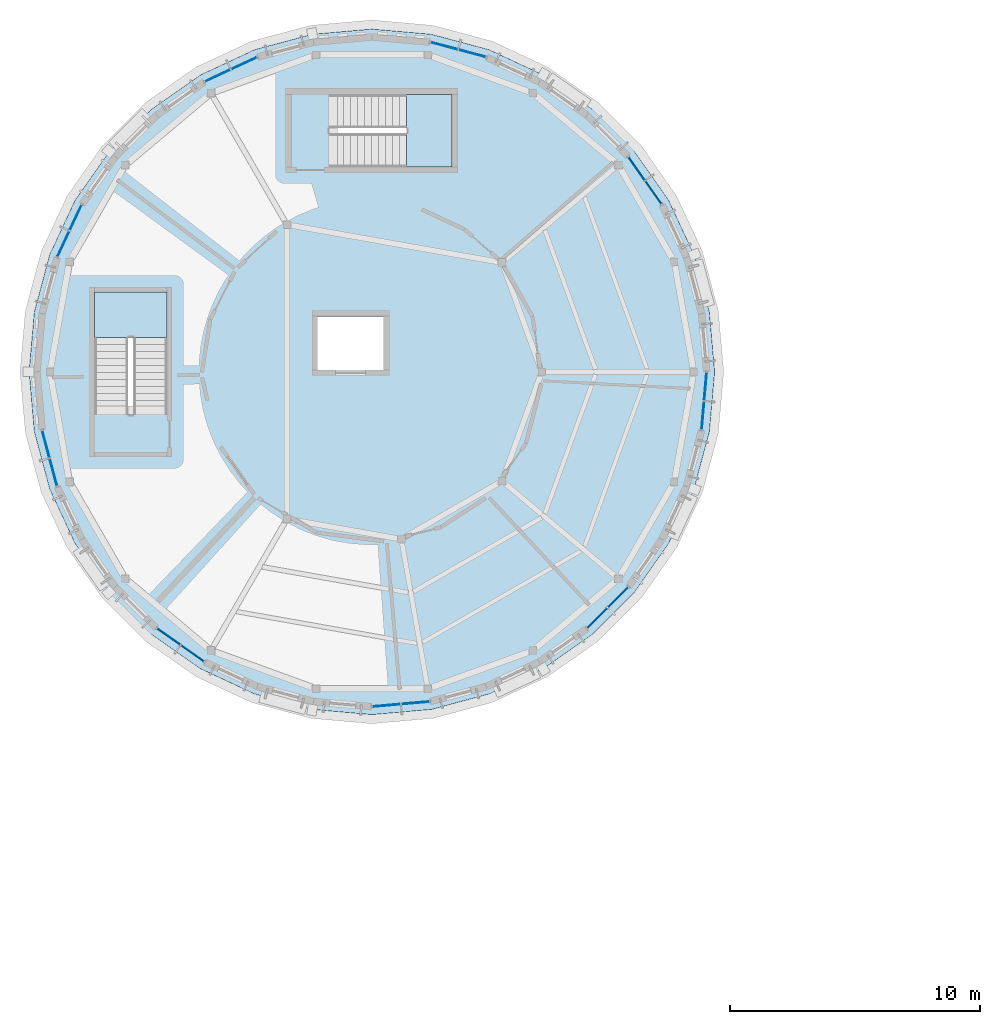
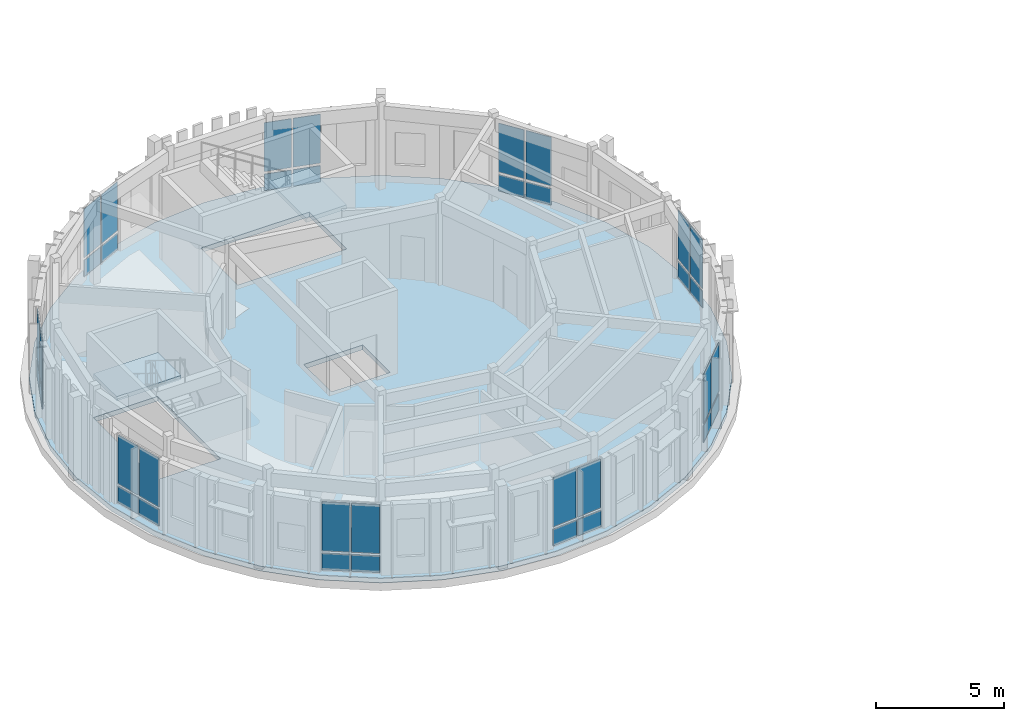
# One storey, part 12 of 37: 36 plates, 3 slabs, 11 elements without a shape of their own.
"""IFC4 building model written with IfcOpenShell, lengths in metres."""

from ifc_helpers import new_model, si_unit, direction, frame, origin, origin_2d, place, context, subcontext, project, spatial, polyline, rectangle, outline, extrude, material, layer, layer_set, type_object, element, aggregate, save


model = new_model("IFC4")

# Units and contexts
model_context = context("Model", 3, precision=1e-05, world=origin(), true_north=direction((0.0, 1.0)))
body_context = subcontext(model_context, "Body", "Model", "MODEL_VIEW")
ifc_project = project(units=[si_unit("LENGTHUNIT", "METRE"), si_unit("AREAUNIT", "SQUARE_METRE"), si_unit("VOLUMEUNIT", "CUBIC_METRE"), si_unit("PLANEANGLEUNIT", "RADIAN"), si_unit("MASSUNIT", "GRAM", prefix="KILO")], contexts=[model_context])

# Site, building, storey
site_placement = place(None, origin())
site = spatial("IfcSite", under=ifc_project, at=site_placement, CompositionType="ELEMENT")
building_placement = place(site_placement, origin())
building = spatial("IfcBuilding", under=site, at=building_placement, Name="Aldenvaro Health Centre", CompositionType="ELEMENT")
storey_placement = place(building_placement, frame((0.0, 0.0, 12.949951171875)))
storey = spatial("IfcBuildingStorey", under=building, at=storey_placement, Name="L03", CompositionType="ELEMENT", Elevation=12.949951171875)

# Curtain wall, plates
ifc_material_1 = material(Name="Anodised Aluminium 6063-T6", Category="aluminium")
ifc_layer_1 = layer(ifc_material_1, 0.22509765625, Name="Anodised Aluminium 6063-T6", Category="aluminium")
ifc_layer_set_1 = layer_set([ifc_layer_1], Name="Anodised Aluminium 6063-T6")
curtain_wall_type = type_object("IfcCurtainWallType", Name="CW-TER-04", PredefinedType="NOTDEFINED", material=ifc_layer_set_1)
curtain_wall_1_placement = place(storey_placement, origin())
curtain_wall_1 = element("IfcCurtainWall", 1, at=curtain_wall_1_placement, inside=storey, type_object=curtain_wall_type, Name="D4 L03 curtain wall bay 01", PredefinedType="NOTDEFINED")
ifc_material_2 = material(Name="Low-E Double Glazing IGU", Category="glass")
ifc_layer_2 = layer(ifc_material_2, 0.028076171875, Name="Low-E Double Glazing IGU", Category="glass")
ifc_layer_set_2 = layer_set([ifc_layer_2], Name="Low-E Double Glazing IGU")
plate_type_1 = type_object("IfcPlateType", Name="CWP-IGU-28", PredefinedType="CURTAIN_PANEL", material=ifc_layer_set_2)
plate_1_placement = place(storey_placement, frame((31.84912109375, 98.91796875, 0.96044921875), z_axis=(0.0, 0.0, 1.0), x_axis=(-0.087331575855, -0.996179299052, 0.0)))
plate_1 = element("IfcPlate", 2, at=plate_1_placement, type_object=plate_type_1, Name="D4 L03 curtain wall bay 01 vision glazing 1", PredefinedType="CURTAIN_PANEL", context=body_context, shape_type="SweptSolid", body=[
    extrude(rectangle(XDim=1.097900390625, YDim=0.028076171875, at=origin_2d()), origin(), (0.0, 0.0, 1.0), 2.3291015625),
])
plate_2_placement = place(storey_placement, frame((31.7470703125, 97.7548828125, 0.96044921875), z_axis=(0.0, 0.0, 1.0), x_axis=(-0.087331575855, -0.996179299052, 0.0)))
plate_2 = element("IfcPlate", 3, at=plate_2_placement, type_object=plate_type_1, Name="D4 L03 curtain wall bay 01 vision glazing 2", PredefinedType="CURTAIN_PANEL", context=body_context, shape_type="SweptSolid", body=[
    extrude(rectangle(XDim=1.097900390625, YDim=0.028076171875, at=origin_2d()), origin(), (0.0, 0.0, 1.0), 2.3291015625),
])

curtain_wall_2_placement = place(storey_placement, origin())
curtain_wall_2 = element("IfcCurtainWall", 4, at=curtain_wall_2_placement, inside=storey, type_object=curtain_wall_type, Name="D4 L03 curtain wall bay 05", PredefinedType="NOTDEFINED")
plate_3_placement = place(storey_placement, frame((28.35205078125, 90.47412109375, 0.96044921875), z_axis=(0.0, 0.0, 1.0), x_axis=(-0.707106781187, -0.707106781187, 0.0)))
plate_3 = element("IfcPlate", 5, at=plate_3_placement, type_object=plate_type_1, Name="D4 L03 curtain wall bay 05 vision glazing 1", PredefinedType="CURTAIN_PANEL", context=body_context, shape_type="SweptSolid", body=[
    extrude(rectangle(XDim=1.097900390625, YDim=0.028076171875, at=origin_2d()), origin(), (0.0, 0.0, 1.0), 2.3291015625),
])
plate_4_placement = place(storey_placement, frame((27.52587890625, 89.64794921875, 0.96044921875), z_axis=(0.0, 0.0, 1.0), x_axis=(-0.707106781187, -0.707106781187, 0.0)))
plate_4 = element("IfcPlate", 6, at=plate_4_placement, type_object=plate_type_1, Name="D4 L03 curtain wall bay 05 vision glazing 2", PredefinedType="CURTAIN_PANEL", context=body_context, shape_type="SweptSolid", body=[
    extrude(rectangle(XDim=1.097900390625, YDim=0.028076171875, at=origin_2d()), origin(), (0.0, 0.0, 1.0), 2.3291015625),
])

curtain_wall_3_placement = place(storey_placement, origin())
curtain_wall_3 = element("IfcCurtainWall", 7, at=curtain_wall_3_placement, inside=storey, type_object=curtain_wall_type, Name="D4 L03 curtain wall bay 09", PredefinedType="NOTDEFINED")
plate_5_placement = place(storey_placement, frame((20.2451171875, 86.2529296875, 0.96044921875), z_axis=(0.0, 0.0, 1.0), x_axis=(-0.996179299052, -0.087331575855, 0.0)))
plate_5 = element("IfcPlate", 8, at=plate_5_placement, type_object=plate_type_1, Name="D4 L03 curtain wall bay 09 vision glazing 1", PredefinedType="CURTAIN_PANEL", context=body_context, shape_type="SweptSolid", body=[
    extrude(rectangle(XDim=1.097900390625, YDim=0.028076171875, at=origin_2d()), origin(), (0.0, 0.0, 1.0), 2.3291015625),
])
plate_6_placement = place(storey_placement, frame((19.08203125, 86.15087890625, 0.96044921875), z_axis=(0.0, 0.0, 1.0), x_axis=(-0.996179299052, -0.087331575855, 0.0)))
plate_6 = element("IfcPlate", 9, at=plate_6_placement, type_object=plate_type_1, Name="D4 L03 curtain wall bay 09 vision glazing 2", PredefinedType="CURTAIN_PANEL", context=body_context, shape_type="SweptSolid", body=[
    extrude(rectangle(XDim=1.097900390625, YDim=0.028076171875, at=origin_2d()), origin(), (0.0, 0.0, 1.0), 2.3291015625),
])

curtain_wall_4_placement = place(storey_placement, origin())
curtain_wall_4 = element("IfcCurtainWall", 10, at=curtain_wall_4_placement, inside=storey, type_object=curtain_wall_type, Name="D4 L03 curtain wall bay 13", PredefinedType="NOTDEFINED")
plate_7_placement = place(storey_placement, frame((11.322021484375, 88.22998046875, 0.96044921875), z_axis=(0.0, 0.0, 1.0), x_axis=(-0.819050849853, 0.573720929857, 0.0)))
plate_7 = element("IfcPlate", 11, at=plate_7_placement, type_object=plate_type_1, Name="D4 L03 curtain wall bay 13 vision glazing 1", PredefinedType="CURTAIN_PANEL", context=body_context, shape_type="SweptSolid", body=[
    extrude(rectangle(XDim=1.097900390625, YDim=0.028076171875, at=origin_2d()), origin(), (0.0, 0.0, 1.0), 2.3291015625),
])
plate_8_placement = place(storey_placement, frame((10.364990234375, 88.89990234375, 0.96044921875), z_axis=(0.0, 0.0, 1.0), x_axis=(-0.819050849853, 0.573720929857, 0.0)))
plate_8 = element("IfcPlate", 12, at=plate_8_placement, type_object=plate_type_1, Name="D4 L03 curtain wall bay 13 vision glazing 2", PredefinedType="CURTAIN_PANEL", context=body_context, shape_type="SweptSolid", body=[
    extrude(rectangle(XDim=1.097900390625, YDim=0.028076171875, at=origin_2d()), origin(), (0.0, 0.0, 1.0), 2.3291015625),
])

curtain_wall_5_placement = place(storey_placement, origin())
curtain_wall_5 = element("IfcCurtainWall", 13, at=curtain_wall_5_placement, inside=storey, type_object=curtain_wall_type, Name="D4 L03 curtain wall bay 17", PredefinedType="NOTDEFINED")
plate_9_placement = place(storey_placement, frame((5.757080078125, 95.48095703125, 0.96044921875), z_axis=(0.0, 0.0, 1.0), x_axis=(-0.258621935517, 0.965978620089, 0.0)))
plate_9 = element("IfcPlate", 14, at=plate_9_placement, type_object=plate_type_1, Name="D4 L03 curtain wall bay 17 vision glazing 1", PredefinedType="CURTAIN_PANEL", context=body_context, shape_type="SweptSolid", body=[
    extrude(rectangle(XDim=1.097900390625, YDim=0.028076171875, at=origin_2d()), origin(), (0.0, 0.0, 1.0), 2.3291015625),
])
plate_10_placement = place(storey_placement, frame((5.455078125, 96.60888671875, 0.96044921875), z_axis=(0.0, 0.0, 1.0), x_axis=(-0.258621935517, 0.965978620089, 0.0)))
plate_10 = element("IfcPlate", 15, at=plate_10_placement, type_object=plate_type_1, Name="D4 L03 curtain wall bay 17 vision glazing 2", PredefinedType="CURTAIN_PANEL", context=body_context, shape_type="SweptSolid", body=[
    extrude(rectangle(XDim=1.097900390625, YDim=0.028076171875, at=origin_2d()), origin(), (0.0, 0.0, 1.0), 2.3291015625),
])

curtain_wall_6_placement = place(storey_placement, origin())
curtain_wall_6 = element("IfcCurtainWall", 16, at=curtain_wall_6_placement, inside=storey, type_object=curtain_wall_type, Name="D4 L03 curtain wall bay 21", PredefinedType="NOTDEFINED")
plate_11_placement = place(storey_placement, frame((6.155029296875, 104.612060546875, 0.96044921875), z_axis=(0.0, 0.0, 1.0), x_axis=(0.422557314215, 0.90633620484, 0.0)))
plate_11 = element("IfcPlate", 17, at=plate_11_placement, type_object=plate_type_1, Name="D4 L03 curtain wall bay 21 vision glazing 1", PredefinedType="CURTAIN_PANEL", context=body_context, shape_type="SweptSolid", body=[
    extrude(rectangle(XDim=1.097900390625, YDim=0.028076171875, at=origin_2d()), origin(), (0.0, 0.0, 1.0), 2.3291015625),
])
plate_12_placement = place(storey_placement, frame((6.64794921875, 105.6708984375, 0.96044921875), z_axis=(0.0, 0.0, 1.0), x_axis=(0.422557314215, 0.90633620484, 0.0)))
plate_12 = element("IfcPlate", 18, at=plate_12_placement, type_object=plate_type_1, Name="D4 L03 curtain wall bay 21 vision glazing 2", PredefinedType="CURTAIN_PANEL", context=body_context, shape_type="SweptSolid", body=[
    extrude(rectangle(XDim=1.097900390625, YDim=0.028076171875, at=origin_2d()), origin(), (0.0, 0.0, 1.0), 2.3291015625),
])

curtain_wall_7_placement = place(storey_placement, origin())
curtain_wall_7 = element("IfcCurtainWall", 19, at=curtain_wall_7_placement, inside=storey, type_object=curtain_wall_type, Name="D4 L03 curtain wall bay 25", PredefinedType="NOTDEFINED")
plate_13_placement = place(storey_placement, frame((12.3291015625, 111.35205078125, 0.96044921875), z_axis=(0.0, 0.0, 1.0), x_axis=(0.90633620484, 0.422557314215, 0.0)))
plate_13 = element("IfcPlate", 20, at=plate_13_placement, type_object=plate_type_1, Name="D4 L03 curtain wall bay 25 vision glazing 1", PredefinedType="CURTAIN_PANEL", context=body_context, shape_type="SweptSolid", body=[
    extrude(rectangle(XDim=1.097900390625, YDim=0.028076171875, at=origin_2d()), origin(), (0.0, 0.0, 1.0), 2.3291015625),
])
plate_14_placement = place(storey_placement, frame((13.387939453125, 111.844970703125, 0.96044921875), z_axis=(0.0, 0.0, 1.0), x_axis=(0.90633620484, 0.422557314215, 0.0)))
plate_14 = element("IfcPlate", 21, at=plate_14_placement, type_object=plate_type_1, Name="D4 L03 curtain wall bay 25 vision glazing 2", PredefinedType="CURTAIN_PANEL", context=body_context, shape_type="SweptSolid", body=[
    extrude(rectangle(XDim=1.097900390625, YDim=0.028076171875, at=origin_2d()), origin(), (0.0, 0.0, 1.0), 2.3291015625),
])

curtain_wall_8_placement = place(storey_placement, origin())
curtain_wall_8 = element("IfcCurtainWall", 22, at=curtain_wall_8_placement, inside=storey, type_object=curtain_wall_type, Name="D4 L03 curtain wall bay 29", PredefinedType="NOTDEFINED")
plate_15_placement = place(storey_placement, frame((21.39111328125, 112.544921875, 0.96044921875), z_axis=(0.0, 0.0, 1.0), x_axis=(0.965978620089, -0.258621935517, 0.0)))
plate_15 = element("IfcPlate", 23, at=plate_15_placement, type_object=plate_type_1, Name="D4 L03 curtain wall bay 29 vision glazing 1", PredefinedType="CURTAIN_PANEL", context=body_context, shape_type="SweptSolid", body=[
    extrude(rectangle(XDim=1.097900390625, YDim=0.028076171875, at=origin_2d()), origin(), (0.0, 0.0, 1.0), 2.3291015625),
])
plate_16_placement = place(storey_placement, frame((22.51904296875, 112.242919921875, 0.96044921875), z_axis=(0.0, 0.0, 1.0), x_axis=(0.965978620089, -0.258621935517, 0.0)))
plate_16 = element("IfcPlate", 24, at=plate_16_placement, type_object=plate_type_1, Name="D4 L03 curtain wall bay 29 vision glazing 2", PredefinedType="CURTAIN_PANEL", context=body_context, shape_type="SweptSolid", body=[
    extrude(rectangle(XDim=1.097900390625, YDim=0.028076171875, at=origin_2d()), origin(), (0.0, 0.0, 1.0), 2.3291015625),
])

curtain_wall_9_placement = place(storey_placement, origin())
curtain_wall_9 = element("IfcCurtainWall", 25, at=curtain_wall_9_placement, inside=storey, type_object=curtain_wall_type, Name="D4 L03 curtain wall bay 33", PredefinedType="NOTDEFINED")
plate_17_placement = place(storey_placement, frame((29.10009765625, 107.635009765625, 0.96044921875), z_axis=(0.0, 0.0, 1.0), x_axis=(0.573720929857, -0.819050849853, 0.0)))
plate_17 = element("IfcPlate", 26, at=plate_17_placement, type_object=plate_type_1, Name="D4 L03 curtain wall bay 33 vision glazing 1", PredefinedType="CURTAIN_PANEL", context=body_context, shape_type="SweptSolid", body=[
    extrude(rectangle(XDim=1.097900390625, YDim=0.028076171875, at=origin_2d()), origin(), (0.0, 0.0, 1.0), 2.3291015625),
])
plate_18_placement = place(storey_placement, frame((29.77001953125, 106.677978515625, 0.96044921875), z_axis=(0.0, 0.0, 1.0), x_axis=(0.573720929857, -0.819050849853, 0.0)))
plate_18 = element("IfcPlate", 27, at=plate_18_placement, type_object=plate_type_1, Name="D4 L03 curtain wall bay 33 vision glazing 2", PredefinedType="CURTAIN_PANEL", context=body_context, shape_type="SweptSolid", body=[
    extrude(rectangle(XDim=1.097900390625, YDim=0.028076171875, at=origin_2d()), origin(), (0.0, 0.0, 1.0), 2.3291015625),
])

# Plate
ifc_material_3 = material(Name="Insulated Aluminium Spandrel", Category="aluminium")
ifc_layer_3 = layer(ifc_material_3, 0.035888671875, Name="Insulated Aluminium Spandrel", Category="aluminium")
ifc_layer_set_3 = layer_set([ifc_layer_3], Name="Insulated Aluminium Spandrel")
plate_type_2 = type_object("IfcPlateType", Name="CWP-SPN-36", PredefinedType="CURTAIN_PANEL", material=ifc_layer_set_3)
plate_19_placement = place(storey_placement, frame((31.84912109375, 98.91796875, 0.06005859375), z_axis=(0.0, 0.0, 1.0), x_axis=(-0.087331575855, -0.996179299052, 0.0)))
plate_19 = element("IfcPlate", 28, at=plate_19_placement, type_object=plate_type_2, Name="D4 L03 curtain wall bay 01 spandrel panel 1", PredefinedType="CURTAIN_PANEL", context=body_context, shape_type="SweptSolid", body=[
    extrude(rectangle(XDim=1.097900390625, YDim=0.035888671875, at=origin_2d()), origin(), (0.0, 0.0, 1.0), 0.780029296875),
])

plate_20_placement = place(storey_placement, frame((31.7470703125, 97.7548828125, 0.06005859375), z_axis=(0.0, 0.0, 1.0), x_axis=(-0.087331575855, -0.996179299052, 0.0)))
plate_20 = element("IfcPlate", 29, at=plate_20_placement, type_object=plate_type_2, Name="D4 L03 curtain wall bay 01 spandrel panel 2", PredefinedType="CURTAIN_PANEL", context=body_context, shape_type="SweptSolid", body=[
    extrude(rectangle(XDim=1.097900390625, YDim=0.035888671875, at=origin_2d()), origin(), (0.0, 0.0, 1.0), 0.780029296875),
])

aggregate(curtain_wall_1, [plate_19, plate_1, plate_20, plate_2])

plate_21_placement = place(storey_placement, frame((28.35205078125, 90.47412109375, 0.06005859375), z_axis=(0.0, 0.0, 1.0), x_axis=(-0.707106781187, -0.707106781187, 0.0)))
plate_21 = element("IfcPlate", 30, at=plate_21_placement, type_object=plate_type_2, Name="D4 L03 curtain wall bay 05 spandrel panel 1", PredefinedType="CURTAIN_PANEL", context=body_context, shape_type="SweptSolid", body=[
    extrude(rectangle(XDim=1.097900390625, YDim=0.035888671875, at=origin_2d()), origin(), (0.0, 0.0, 1.0), 0.780029296875),
])

plate_22_placement = place(storey_placement, frame((27.52587890625, 89.64794921875, 0.06005859375), z_axis=(0.0, 0.0, 1.0), x_axis=(-0.707106781187, -0.707106781187, 0.0)))
plate_22 = element("IfcPlate", 31, at=plate_22_placement, type_object=plate_type_2, Name="D4 L03 curtain wall bay 05 spandrel panel 2", PredefinedType="CURTAIN_PANEL", context=body_context, shape_type="SweptSolid", body=[
    extrude(rectangle(XDim=1.097900390625, YDim=0.035888671875, at=origin_2d()), origin(), (0.0, 0.0, 1.0), 0.780029296875),
])

aggregate(curtain_wall_2, [plate_21, plate_3, plate_22, plate_4])

plate_23_placement = place(storey_placement, frame((20.2451171875, 86.2529296875, 0.06005859375), z_axis=(0.0, 0.0, 1.0), x_axis=(-0.996179299052, -0.087331575855, 0.0)))
plate_23 = element("IfcPlate", 32, at=plate_23_placement, type_object=plate_type_2, Name="D4 L03 curtain wall bay 09 spandrel panel 1", PredefinedType="CURTAIN_PANEL", context=body_context, shape_type="SweptSolid", body=[
    extrude(rectangle(XDim=1.097900390625, YDim=0.035888671875, at=origin_2d()), origin(), (0.0, 0.0, 1.0), 0.780029296875),
])

plate_24_placement = place(storey_placement, frame((19.08203125, 86.15087890625, 0.06005859375), z_axis=(0.0, 0.0, 1.0), x_axis=(-0.996179299052, -0.087331575855, 0.0)))
plate_24 = element("IfcPlate", 33, at=plate_24_placement, type_object=plate_type_2, Name="D4 L03 curtain wall bay 09 spandrel panel 2", PredefinedType="CURTAIN_PANEL", context=body_context, shape_type="SweptSolid", body=[
    extrude(rectangle(XDim=1.097900390625, YDim=0.035888671875, at=origin_2d()), origin(), (0.0, 0.0, 1.0), 0.780029296875),
])

aggregate(curtain_wall_3, [plate_23, plate_5, plate_24, plate_6])

plate_25_placement = place(storey_placement, frame((11.322021484375, 88.22998046875, 0.06005859375), z_axis=(0.0, 0.0, 1.0), x_axis=(-0.819050849853, 0.573720929857, 0.0)))
plate_25 = element("IfcPlate", 34, at=plate_25_placement, type_object=plate_type_2, Name="D4 L03 curtain wall bay 13 spandrel panel 1", PredefinedType="CURTAIN_PANEL", context=body_context, shape_type="SweptSolid", body=[
    extrude(rectangle(XDim=1.097900390625, YDim=0.035888671875, at=origin_2d()), origin(), (0.0, 0.0, 1.0), 0.780029296875),
])

plate_26_placement = place(storey_placement, frame((10.364990234375, 88.89990234375, 0.06005859375), z_axis=(0.0, 0.0, 1.0), x_axis=(-0.819050849853, 0.573720929857, 0.0)))
plate_26 = element("IfcPlate", 35, at=plate_26_placement, type_object=plate_type_2, Name="D4 L03 curtain wall bay 13 spandrel panel 2", PredefinedType="CURTAIN_PANEL", context=body_context, shape_type="SweptSolid", body=[
    extrude(rectangle(XDim=1.097900390625, YDim=0.035888671875, at=origin_2d()), origin(), (0.0, 0.0, 1.0), 0.780029296875),
])

aggregate(curtain_wall_4, [plate_25, plate_7, plate_26, plate_8])

plate_27_placement = place(storey_placement, frame((5.757080078125, 95.48095703125, 0.06005859375), z_axis=(0.0, 0.0, 1.0), x_axis=(-0.258621935517, 0.965978620089, 0.0)))
plate_27 = element("IfcPlate", 36, at=plate_27_placement, type_object=plate_type_2, Name="D4 L03 curtain wall bay 17 spandrel panel 1", PredefinedType="CURTAIN_PANEL", context=body_context, shape_type="SweptSolid", body=[
    extrude(rectangle(XDim=1.097900390625, YDim=0.035888671875, at=origin_2d()), origin(), (0.0, 0.0, 1.0), 0.780029296875),
])

plate_28_placement = place(storey_placement, frame((5.455078125, 96.60888671875, 0.06005859375), z_axis=(0.0, 0.0, 1.0), x_axis=(-0.258621935517, 0.965978620089, 0.0)))
plate_28 = element("IfcPlate", 37, at=plate_28_placement, type_object=plate_type_2, Name="D4 L03 curtain wall bay 17 spandrel panel 2", PredefinedType="CURTAIN_PANEL", context=body_context, shape_type="SweptSolid", body=[
    extrude(rectangle(XDim=1.097900390625, YDim=0.035888671875, at=origin_2d()), origin(), (0.0, 0.0, 1.0), 0.780029296875),
])

aggregate(curtain_wall_5, [plate_27, plate_9, plate_28, plate_10])

plate_29_placement = place(storey_placement, frame((6.155029296875, 104.612060546875, 0.06005859375), z_axis=(0.0, 0.0, 1.0), x_axis=(0.422557314215, 0.90633620484, 0.0)))
plate_29 = element("IfcPlate", 38, at=plate_29_placement, type_object=plate_type_2, Name="D4 L03 curtain wall bay 21 spandrel panel 1", PredefinedType="CURTAIN_PANEL", context=body_context, shape_type="SweptSolid", body=[
    extrude(rectangle(XDim=1.097900390625, YDim=0.035888671875, at=origin_2d()), origin(), (0.0, 0.0, 1.0), 0.780029296875),
])

plate_30_placement = place(storey_placement, frame((6.64794921875, 105.6708984375, 0.06005859375), z_axis=(0.0, 0.0, 1.0), x_axis=(0.422557314215, 0.90633620484, 0.0)))
plate_30 = element("IfcPlate", 39, at=plate_30_placement, type_object=plate_type_2, Name="D4 L03 curtain wall bay 21 spandrel panel 2", PredefinedType="CURTAIN_PANEL", context=body_context, shape_type="SweptSolid", body=[
    extrude(rectangle(XDim=1.097900390625, YDim=0.035888671875, at=origin_2d()), origin(), (0.0, 0.0, 1.0), 0.780029296875),
])

aggregate(curtain_wall_6, [plate_29, plate_11, plate_30, plate_12])

plate_31_placement = place(storey_placement, frame((12.3291015625, 111.35205078125, 0.06005859375), z_axis=(0.0, 0.0, 1.0), x_axis=(0.90633620484, 0.422557314215, 0.0)))
plate_31 = element("IfcPlate", 40, at=plate_31_placement, type_object=plate_type_2, Name="D4 L03 curtain wall bay 25 spandrel panel 1", PredefinedType="CURTAIN_PANEL", context=body_context, shape_type="SweptSolid", body=[
    extrude(rectangle(XDim=1.097900390625, YDim=0.035888671875, at=origin_2d()), origin(), (0.0, 0.0, 1.0), 0.780029296875),
])

plate_32_placement = place(storey_placement, frame((13.387939453125, 111.844970703125, 0.06005859375), z_axis=(0.0, 0.0, 1.0), x_axis=(0.90633620484, 0.422557314215, 0.0)))
plate_32 = element("IfcPlate", 41, at=plate_32_placement, type_object=plate_type_2, Name="D4 L03 curtain wall bay 25 spandrel panel 2", PredefinedType="CURTAIN_PANEL", context=body_context, shape_type="SweptSolid", body=[
    extrude(rectangle(XDim=1.097900390625, YDim=0.035888671875, at=origin_2d()), origin(), (0.0, 0.0, 1.0), 0.780029296875),
])

aggregate(curtain_wall_7, [plate_31, plate_13, plate_32, plate_14])

plate_33_placement = place(storey_placement, frame((21.39111328125, 112.544921875, 0.06005859375), z_axis=(0.0, 0.0, 1.0), x_axis=(0.965978620089, -0.258621935517, 0.0)))
plate_33 = element("IfcPlate", 42, at=plate_33_placement, type_object=plate_type_2, Name="D4 L03 curtain wall bay 29 spandrel panel 1", PredefinedType="CURTAIN_PANEL", context=body_context, shape_type="SweptSolid", body=[
    extrude(rectangle(XDim=1.097900390625, YDim=0.035888671875, at=origin_2d()), origin(), (0.0, 0.0, 1.0), 0.780029296875),
])

plate_34_placement = place(storey_placement, frame((22.51904296875, 112.242919921875, 0.06005859375), z_axis=(0.0, 0.0, 1.0), x_axis=(0.965978620089, -0.258621935517, 0.0)))
plate_34 = element("IfcPlate", 43, at=plate_34_placement, type_object=plate_type_2, Name="D4 L03 curtain wall bay 29 spandrel panel 2", PredefinedType="CURTAIN_PANEL", context=body_context, shape_type="SweptSolid", body=[
    extrude(rectangle(XDim=1.097900390625, YDim=0.035888671875, at=origin_2d()), origin(), (0.0, 0.0, 1.0), 0.780029296875),
])

aggregate(curtain_wall_8, [plate_33, plate_15, plate_34, plate_16])

plate_35_placement = place(storey_placement, frame((29.10009765625, 107.635009765625, 0.06005859375), z_axis=(0.0, 0.0, 1.0), x_axis=(0.573720929857, -0.819050849853, 0.0)))
plate_35 = element("IfcPlate", 44, at=plate_35_placement, type_object=plate_type_2, Name="D4 L03 curtain wall bay 33 spandrel panel 1", PredefinedType="CURTAIN_PANEL", context=body_context, shape_type="SweptSolid", body=[
    extrude(rectangle(XDim=1.097900390625, YDim=0.035888671875, at=origin_2d()), origin(), (0.0, 0.0, 1.0), 0.780029296875),
])

plate_36_placement = place(storey_placement, frame((29.77001953125, 106.677978515625, 0.06005859375), z_axis=(0.0, 0.0, 1.0), x_axis=(0.573720929857, -0.819050849853, 0.0)))
plate_36 = element("IfcPlate", 45, at=plate_36_placement, type_object=plate_type_2, Name="D4 L03 curtain wall bay 33 spandrel panel 2", PredefinedType="CURTAIN_PANEL", context=body_context, shape_type="SweptSolid", body=[
    extrude(rectangle(XDim=1.097900390625, YDim=0.035888671875, at=origin_2d()), origin(), (0.0, 0.0, 1.0), 0.780029296875),
])

aggregate(curtain_wall_9, [plate_35, plate_17, plate_36, plate_18])

# Slab
ifc_material_4 = material(Name="Cross-laminated timber CLT E1", Category="wood")
ifc_layer_4 = layer(ifc_material_4, 0.22509765625, Name="Cross-laminated timber CLT E1", Category="wood")
ifc_layer_set_4 = layer_set([ifc_layer_4], Name="Cross-laminated timber CLT E1")
slab_type_1 = type_object("IfcSlabType", Name="SLB-CLT-225", PredefinedType="FLOOR", material=ifc_layer_set_4)
slab_1_placement = place(storey_placement, frame((0.0, 0.0, -0.224853515625)))
element("IfcSlab", 46, at=slab_1_placement, inside=storey, type_object=slab_type_1, Name="D4 L03 floor slab", PredefinedType="FLOOR", context=body_context, shape_type="SweptSolid", body=[
    extrude(outline(polyline([(32.219970703125, 99.5), (32.011962890625, 101.882080078125), (31.39306640625, 104.193115234375), (30.382080078125, 106.360107421875), (29.010009765625, 108.319091796875), (27.319091796875, 110.010009765625), (25.360107421875, 111.382080078125), (23.193115234375, 112.39306640625), (20.882080078125, 113.011962890625), (18.5, 113.219970703125), (16.117919921875, 113.011962890625), (13.806884765625, 112.39306640625), (11.639892578125, 111.382080078125), (9.680908203125, 110.010009765625), (7.989990234375, 108.319091796875), (6.617919921875, 106.360107421875), (5.60693359375, 104.193115234375), (4.988037109375, 101.882080078125), (4.780029296875, 99.5), (4.988037109375, 97.117919921875), (5.60693359375, 94.806884765625), (6.617919921875, 92.639892578125), (7.989990234375, 90.680908203125), (9.680908203125, 88.989990234375), (11.639892578125, 87.617919921875), (13.806884765625, 86.60693359375), (16.117919921875, 85.988037109375), (18.5, 85.780029296875), (20.882080078125, 85.988037109375), (23.193115234375, 86.60693359375), (25.360107421875, 87.617919921875), (27.319091796875, 88.989990234375), (29.010009765625, 90.680908203125), (30.382080078125, 92.639892578125), (31.39306640625, 94.806884765625), (32.011962890625, 97.117919921875), (32.219970703125, 99.5)]), holes=[polyline([(16.800048828125, 107.699951171875), (21.699951171875, 107.699951171875), (21.699951171875, 110.60009765625), (16.800048828125, 110.60009765625), (16.800048828125, 107.699951171875)]), polyline([(10.300048828125, 97.800048828125), (10.300048828125, 102.699951171875), (7.39990234375, 102.699951171875), (7.39990234375, 97.800048828125), (10.300048828125, 97.800048828125)]), polyline([(16.324951171875, 99.574951171875), (18.97509765625, 99.574951171875), (18.97509765625, 101.72509765625), (16.324951171875, 101.72509765625), (16.324951171875, 99.574951171875)])]), origin(), (0.0, 0.0, 1.0), 0.224853515625),
])

# Stair, slab
ifc_material_5 = material(Name="Concrete f'c 40 MPa", Category="concrete")
stair_type = type_object("IfcStairType", Name="STR-DOG-420", PredefinedType="HALF_TURN_STAIR", material=ifc_material_5)
stair_1_placement = place(storey_placement, origin())
stair_1 = element("IfcStair", 47, at=stair_1_placement, inside=storey, type_object=stair_type, Name="L03 Exit Stair ST-07", PredefinedType="HALF_TURN_STAIR")
ifc_layer_5 = layer(ifc_material_5, 0.199951171875, Name="Concrete f'c 40 MPa", Category="concrete")
ifc_layer_set_5 = layer_set([ifc_layer_5], Name="Concrete f'c 40 MPa")
slab_type_2 = type_object("IfcSlabType", Name="SLB-LND-200", PredefinedType="LANDING", material=ifc_layer_set_5)
slab_2_placement = place(storey_placement, frame((0.0, 0.0, 1.900146484375)))
slab_2 = element("IfcSlab", 48, at=slab_2_placement, type_object=slab_type_2, Name="ST-07 landing 1", PredefinedType="LANDING", context=body_context, shape_type="SweptSolid", body=[
    extrude(outline(polyline([(19.8798828125, 107.699951171875), (21.699951171875, 107.699951171875), (21.699951171875, 110.60009765625), (19.8798828125, 110.60009765625), (19.8798828125, 107.699951171875)])), origin(), (0.0, 0.0, 1.0), 0.199951171875),
])
aggregate(stair_1, [slab_2])

stair_2_placement = place(storey_placement, origin())
stair_2 = element("IfcStair", 49, at=stair_2_placement, inside=storey, type_object=stair_type, Name="L03 Exit Stair ST-08", PredefinedType="HALF_TURN_STAIR")
slab_3_placement = place(storey_placement, frame((0.0, 0.0, 1.900146484375)))
slab_3 = element("IfcSlab", 50, at=slab_3_placement, type_object=slab_type_2, Name="ST-08 landing 1", PredefinedType="LANDING", context=body_context, shape_type="SweptSolid", body=[
    extrude(outline(polyline([(10.300048828125, 100.8798828125), (10.300048828125, 102.699951171875), (7.39990234375, 102.699951171875), (7.39990234375, 100.8798828125), (10.300048828125, 100.8798828125)])), origin(), (0.0, 0.0, 1.0), 0.199951171875),
])
aggregate(stair_2, [slab_3])

save(model, "model.ifc")
